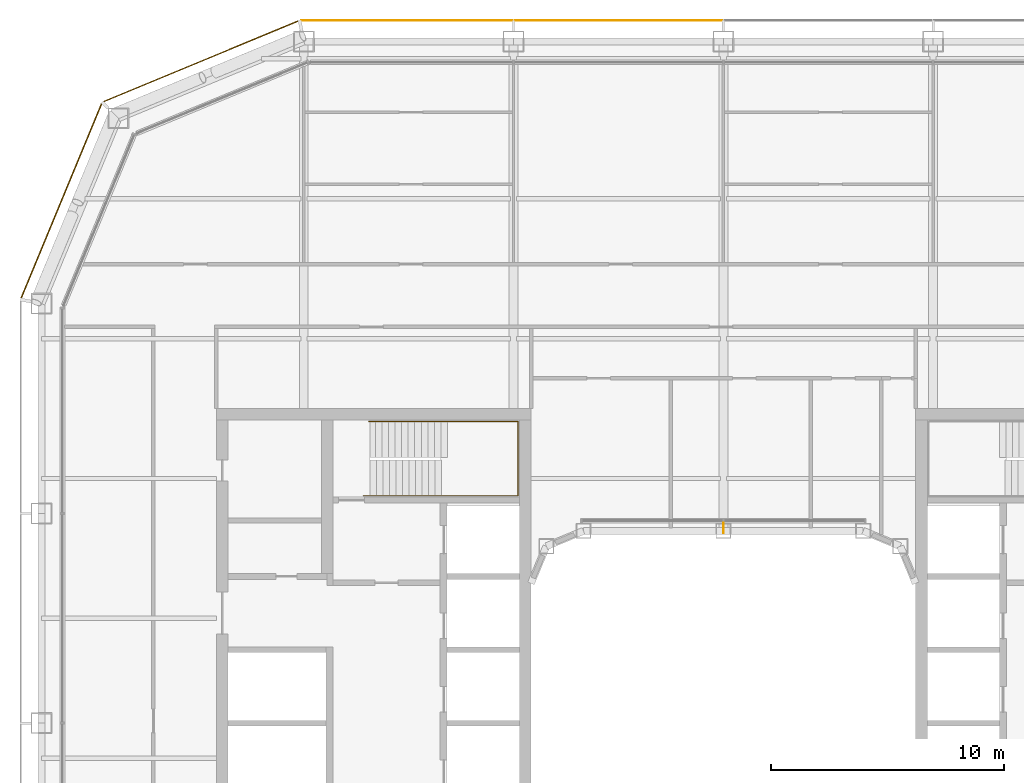
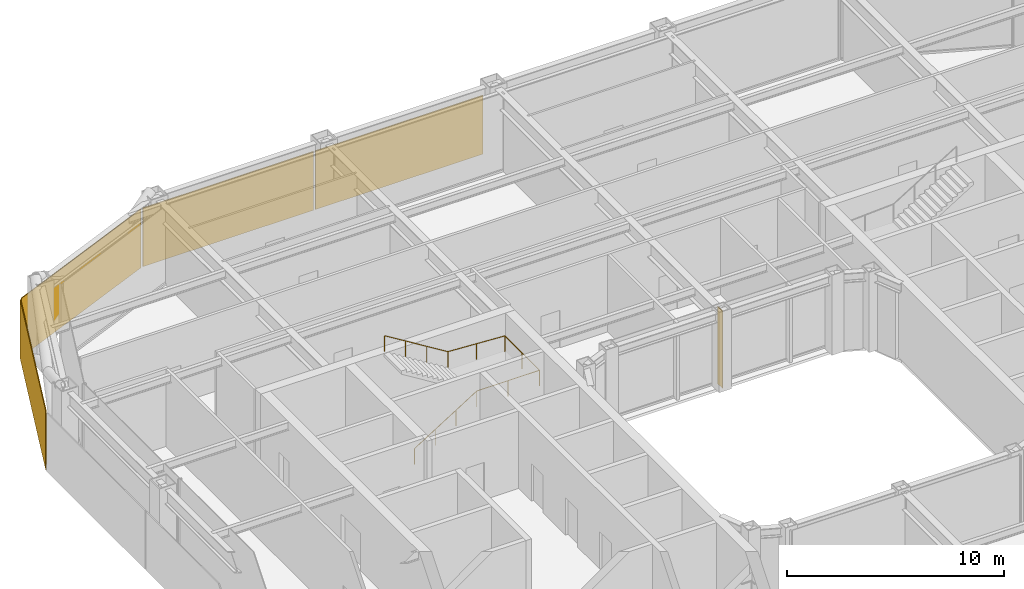
# One storey, part 21 of 23: 4 coverings, 1 railing, 1 shading device.
"""IFC4 building model written with IfcOpenShell, lengths in metres."""

from ifc_helpers import new_model, si_unit, direction, frame, origin, origin_2d, place, context, subcontext, project, spatial, rectangle, circle, extrude, material, layer, layer_set, type_object, element, save


model = new_model("IFC4")

# Units and contexts
model_context = context("Model", 3, precision=1e-05, world=origin(), true_north=direction((0.0, 1.0)))
body_context = subcontext(model_context, "Body", "Model", "MODEL_VIEW")
ifc_project = project(units=[si_unit("LENGTHUNIT", "METRE"), si_unit("AREAUNIT", "SQUARE_METRE"), si_unit("VOLUMEUNIT", "CUBIC_METRE"), si_unit("PLANEANGLEUNIT", "RADIAN"), si_unit("MASSUNIT", "GRAM", prefix="KILO")], contexts=[model_context])

# Site, building, storey
site_placement = place(None, origin())
site = spatial("IfcSite", under=ifc_project, at=site_placement, CompositionType="ELEMENT")
building_placement = place(site_placement, origin())
building = spatial("IfcBuilding", under=site, at=building_placement, Name="Siwar Civic Tower", CompositionType="ELEMENT")
storey_placement = place(building_placement, frame((0.0, 0.0, 145.199951171875)))
storey = spatial("IfcBuildingStorey", under=building, at=storey_placement, Name="L31", CompositionType="ELEMENT", Elevation=145.199951171875)

# Railing
ifc_material_1 = material(Name="Stainless steel", Category="steel")
railing_type = type_object("IfcRailingType", Name="CORE-STAIR-HANDRAIL", PredefinedType="HANDRAIL", material=ifc_material_1)
railing_placement = place(storey_placement, frame((-15.449951171875, 9.758056640625, 0.173095703125)))
element("IfcRailing", 1, at=railing_placement, inside=storey, type_object=railing_type, Name="Stair handrail ST1", PredefinedType="HANDRAIL", context=body_context, shape_type="SweptSolid", body=[
    extrude(circle(Radius=0.02001953125, at=origin_2d()), frame((0.0, 0.0, 0.8798828125), z_axis=(0.847063342986, 0.0, 0.531491950051), x_axis=(0.0, 1.0, 0.0)), (0.0, 0.0, 1.0), 3.90771484375),
    extrude(circle(Radius=0.02001953125, at=origin_2d()), frame((3.31005859375, 0.0, 2.956787109375), z_axis=(1.0, 0.0, 0.0), x_axis=(0.0, 1.0, 0.0)), (0.0, 0.0, 1.0), 3.331787109375),
    extrude(circle(Radius=0.02001953125, at=origin_2d()), frame((6.641845703125, 0.0, 2.956787109375), z_axis=(0.0, 1.0, 0.0), x_axis=(-1.0, 0.0, 0.0)), (0.0, 0.0, 1.0), 3.183837890625),
    extrude(circle(Radius=0.02001953125, at=origin_2d()), frame((6.641845703125, 3.183837890625, 2.956787109375), z_axis=(-0.99837434197, 0.0, 0.056997134106), x_axis=(0.0, -1.0, 0.0)), (0.0, 0.0, 1.0), 3.036865234375),
    extrude(circle(Radius=0.02001953125, at=origin_2d()), frame((3.60986328125, 3.183837890625, 3.1298828125), z_axis=(-0.850606129759, 0.0, 0.525803396734), x_axis=(0.0, -1.0, 0.0)), (0.0, 0.0, 1.0), 3.949951171875),
    extrude(circle(Radius=0.02001953125, at=origin_2d()), origin(), (0.0, 0.0, 1.0), 0.85986328125),
    extrude(circle(Radius=0.02001953125, at=origin_2d()), frame((1.103271484375, 0.0, 0.6923828125)), (0.0, 0.0, 1.0), 0.85986328125),
    extrude(circle(Radius=0.02001953125, at=origin_2d()), frame((2.206787109375, 0.0, 1.384521484375)), (0.0, 0.0, 1.0), 0.85986328125),
    extrude(circle(Radius=0.02001953125, at=origin_2d()), frame((3.31005859375, 0.0, 2.076904296875)), (0.0, 0.0, 1.0), 0.85986328125),
    extrude(circle(Radius=0.02001953125, at=origin_2d()), frame((4.97607421875, 0.0, 2.076904296875)), (0.0, 0.0, 1.0), 0.85986328125),
    extrude(circle(Radius=0.02001953125, at=origin_2d()), frame((6.641845703125, 0.0, 2.076904296875)), (0.0, 0.0, 1.0), 0.85986328125),
    extrude(circle(Radius=0.02001953125, at=origin_2d()), frame((6.641845703125, 1.591796875, 2.076904296875)), (0.0, 0.0, 1.0), 0.85986328125),
    extrude(circle(Radius=0.02001953125, at=origin_2d()), frame((6.641845703125, 3.183837890625, 2.076904296875)), (0.0, 0.0, 1.0), 0.85986328125),
    extrude(circle(Radius=0.02001953125, at=origin_2d()), frame((5.1259765625, 3.183837890625, 2.16357421875)), (0.0, 0.0, 1.0), 0.85986328125),
    extrude(circle(Radius=0.02001953125, at=origin_2d()), frame((3.60986328125, 3.183837890625, 2.25)), (0.0, 0.0, 1.0), 0.85986328125),
    extrude(circle(Radius=0.02001953125, at=origin_2d()), frame((2.489990234375, 3.183837890625, 2.9423828125)), (0.0, 0.0, 1.0), 0.85986328125),
    extrude(circle(Radius=0.02001953125, at=origin_2d()), frame((1.369873046875, 3.183837890625, 3.634521484375)), (0.0, 0.0, 1.0), 0.85986328125),
    extrude(circle(Radius=0.02001953125, at=origin_2d()), frame((0.25, 3.183837890625, 4.326904296875)), (0.0, 0.0, 1.0), 0.85986328125),
])

# Shading device
ifc_material_2 = material(Name="Aluminium 6063-T6", Category="aluminium")
ifc_layer_1 = layer(ifc_material_2, 0.02001953125)
ifc_layer_set_1 = layer_set([ifc_layer_1], Name="Aluminium 6063-T6")
shading_device_type = type_object("IfcShadingDeviceType", Name="ENV-FIN", PredefinedType="JALOUSIE", material=ifc_layer_set_1)
shading_device_placement = place(storey_placement, frame((0.0, 8.3701171875, 0.0), z_axis=(0.0, 0.0, 1.0), x_axis=(-1.0, 0.0, 0.0)))
element("IfcShadingDevice", 2, at=shading_device_placement, inside=storey, type_object=shading_device_type, Name="SUNSHADE fin WN 1", PredefinedType="JALOUSIE", context=body_context, shape_type="SweptSolid", body=[
    extrude(rectangle(XDim=0.02001953125, YDim=0.449951171875, at=origin_2d()), origin(), (0.0, 0.0, 1.0), 4.35009765625),
])

# Coverings
ifc_material_3 = material(Name="Perforated aluminium cassette, pale metal", Category="aluminium")
ifc_layer_2 = layer(ifc_material_3, 0.0400390625)
ifc_layer_set_2 = layer_set([ifc_layer_2], Name="Perforated aluminium cassette, pale metal")
covering_type_1 = type_object("IfcCoveringType", Name="ENV-OUTER SKIN OS-1", PredefinedType="CLADDING", material=ifc_layer_set_2)
covering_1_placement = place(storey_placement, frame((-4.5, 30.14990234375, -0.14990234375), z_axis=(0.0, 0.0, 1.0), x_axis=(-1.0, 0.0, 0.0)))
element("IfcCovering", 3, at=covering_1_placement, inside=storey, type_object=covering_type_1, Name="OUTER SKIN OS-1 N 3", PredefinedType="CLADDING", context=body_context, shape_type="SweptSolid", body=[
    extrude(rectangle(XDim=8.89990234375, YDim=0.0400390625, at=origin_2d()), origin(), (0.0, 0.0, 1.0), 3.300048828125),
])
covering_2_placement = place(storey_placement, frame((-13.57958984375, 30.14990234375, -0.14990234375), z_axis=(0.0, 0.0, 1.0), x_axis=(-1.0, 0.0, 0.0)))
element("IfcCovering", 4, at=covering_2_placement, inside=storey, type_object=covering_type_1, Name="OUTER SKIN OS-1 N 4", PredefinedType="CLADDING", context=body_context, shape_type="SweptSolid", body=[
    extrude(rectangle(XDim=9.05908203125, YDim=0.0400390625, at=origin_2d()), origin(), (0.0, 0.0, 1.0), 3.300048828125),
])
covering_3_placement = place(storey_placement, frame((-22.411376953125, 28.39697265625, -0.14990234375), z_axis=(0.0, 0.0, 1.0), x_axis=(-0.923879532511, -0.382683432365, 0.0)))
element("IfcCovering", 5, at=covering_3_placement, inside=storey, type_object=covering_type_1, Name="OUTER SKIN OS-1 NW1 1", PredefinedType="CLADDING", context=body_context, shape_type="SweptSolid", body=[
    extrude(rectangle(XDim=9.022216796875, YDim=0.0400390625, at=origin_2d()), origin(), (0.0, 0.0, 1.0), 3.300048828125),
])
ifc_material_4 = material(Name="Perforated aluminium cassette, pale metal", Category="aluminium")
ifc_layer_3 = layer(ifc_material_4, 0.044921875)
ifc_layer_set_3 = layer_set([ifc_layer_3], Name="Perforated aluminium cassette, pale metal")
covering_type_2 = type_object("IfcCoveringType", Name="ENV-OUTER SKIN OS-2", PredefinedType="CLADDING", material=ifc_layer_set_3)
covering_4_placement = place(storey_placement, frame((-28.39697265625, 22.411376953125, -0.14990234375), z_axis=(0.0, 0.0, 1.0), x_axis=(-0.382683432365, -0.923879532511, 0.0)))
element("IfcCovering", 6, at=covering_4_placement, inside=storey, type_object=covering_type_2, Name="OUTER SKIN OS-2 NW2 1", PredefinedType="CLADDING", context=body_context, shape_type="SweptSolid", body=[
    extrude(rectangle(XDim=9.022216796875, YDim=0.044921875, at=origin_2d()), origin(), (0.0, 0.0, 1.0), 3.300048828125),
])

save(model, "model.ifc")
